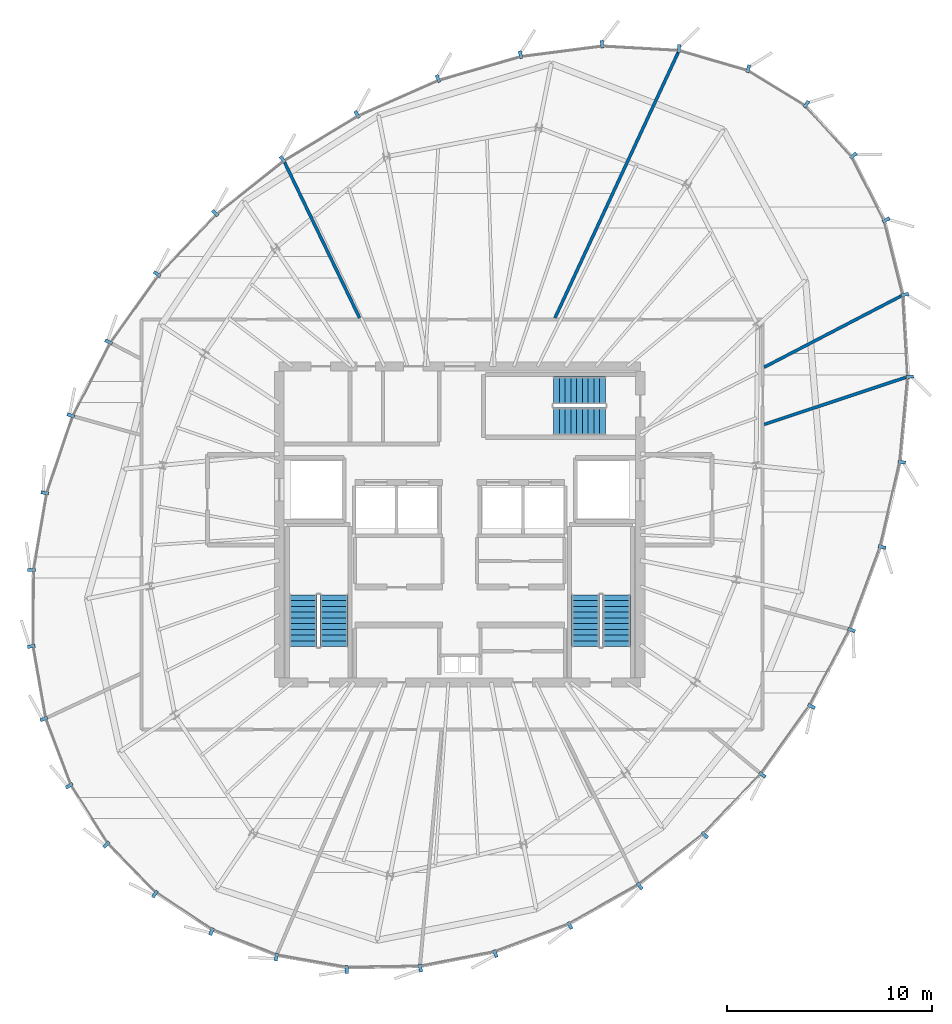
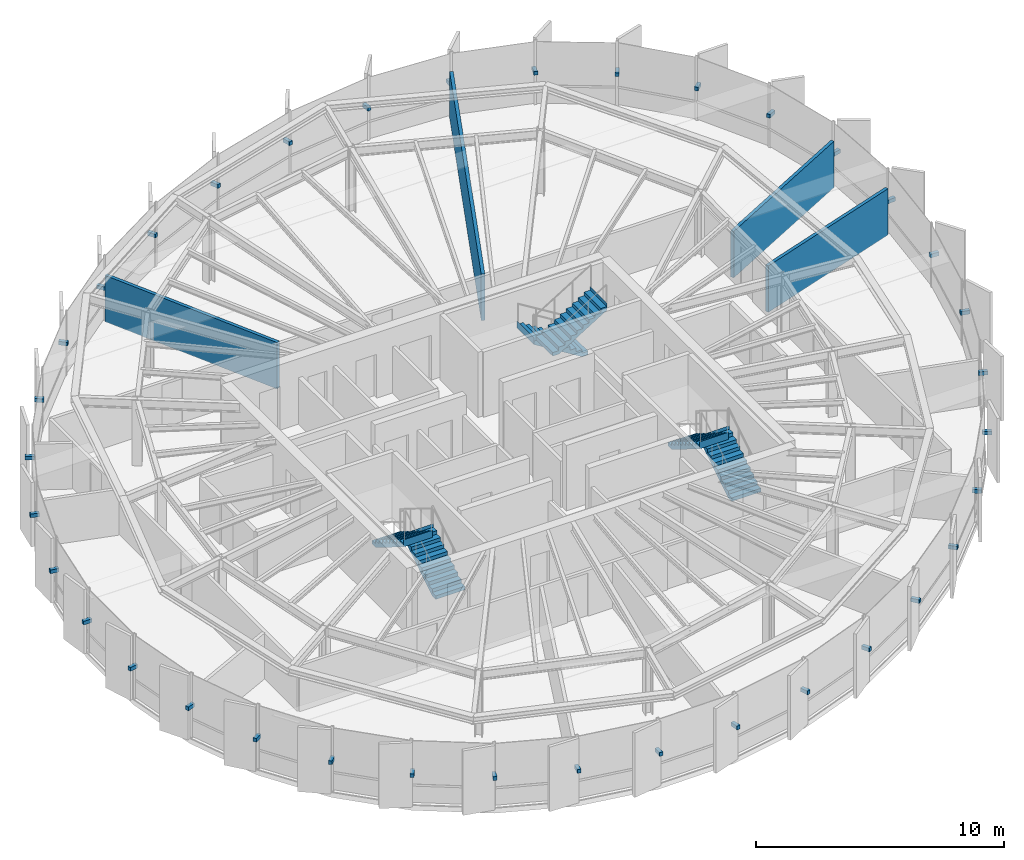
# One storey, part 29 of 33: 36 discrete accessories, 6 stair flights, 4 walls, 3 elements without a shape of their own.
"""IFC4 building model written with IfcOpenShell, lengths in metres."""

from ifc_helpers import new_model, si_unit, direction, frame, frame_2d, origin, origin_2d, place, context, subcontext, project, spatial, polyline, rectangle, outline, extrude, source, transform, mapped, material, layer, layer_set, type_object, element, aggregate, save


model = new_model("IFC4")

# Units and contexts
model_context = context("Model", 3, precision=1e-05, world=origin(), true_north=direction((0.0, 1.0)))
body_context = subcontext(model_context, "Body", "Model", "MODEL_VIEW")
ifc_project = project(units=[si_unit("LENGTHUNIT", "METRE"), si_unit("AREAUNIT", "SQUARE_METRE"), si_unit("VOLUMEUNIT", "CUBIC_METRE"), si_unit("PLANEANGLEUNIT", "RADIAN"), si_unit("MASSUNIT", "GRAM", prefix="KILO"), si_unit("THERMODYNAMICTEMPERATUREUNIT", "KELVIN")], contexts=[model_context])

# Site, building, storey
site_placement = place(None, origin())
site = spatial("IfcSite", under=ifc_project, at=site_placement, CompositionType="ELEMENT")
building_placement = place(site_placement, origin())
building = spatial("IfcBuilding", under=site, at=building_placement, Name="Kethvar Cultural Tower", CompositionType="ELEMENT")
storey_placement = place(building_placement, frame((0.0, 0.0, 238.75)))
storey = spatial("IfcBuildingStorey", under=building, at=storey_placement, Name="L62", CompositionType="ELEMENT", Elevation=238.75)

# Walls
ifc_material_1 = material(Name="Gypsum Acoustic Partition")
ifc_layer = layer(ifc_material_1, 0.14990234375, Name="Gypsum Acoustic Partition")
ifc_layer_set = layer_set([ifc_layer], Name="Gypsum Acoustic Partition (150 mm)")
wall_type = type_object("IfcWallType", Name="WL-PART-150", PredefinedType="PARTITIONING", material=ifc_layer_set)
wall_1_placement = place(storey_placement, frame((61.639892578125, 32.676513671875, 0.0), z_axis=(0.0, 0.0, 1.0), x_axis=(0.948948286782, 0.315431686762, 0.0)))
element("IfcWall", 1, at=wall_1_placement, inside=storey, type_object=wall_type, Name="L62 Radial Partition Wall 07", PredefinedType="PARTITIONING", context=body_context, shape_type="SweptSolid", body=[
    extrude(rectangle(XDim=7.269287109375, YDim=0.14990234375, at=frame_2d((3.634765625, 0.0))), origin(), (0.0, 0.0, 1.0), 2.280029296875),
])
wall_2_placement = place(storey_placement, frame((61.635009765625, 35.46240234375, 0.0), z_axis=(0.0, 0.0, 1.0), x_axis=(0.887115767251, 0.461546980809, 0.0)))
element("IfcWall", 2, at=wall_2_placement, inside=storey, type_object=wall_type, Name="L62 Radial Partition Wall 08", PredefinedType="PARTITIONING", context=body_context, shape_type="SweptSolid", body=[
    extrude(rectangle(XDim=7.5185546875, YDim=0.14990234375, at=frame_2d((3.75927734375, 0.0))), origin(), (0.0, 0.0, 1.0), 2.280029296875),
])
wall_3_placement = place(storey_placement, frame((51.439208984375, 37.865478515625, 0.0), z_axis=(0.0, 0.0, 1.0), x_axis=(0.420885460342, 0.907113790697, 0.0)))
element("IfcWall", 3, at=wall_3_placement, inside=storey, type_object=wall_type, Name="L62 Radial Partition Wall 09", PredefinedType="PARTITIONING", context=body_context, shape_type="SweptSolid", body=[
    extrude(rectangle(XDim=14.261474609375, YDim=0.14990234375, at=frame_2d((7.130859375, 0.0))), origin(), (0.0, 0.0, 1.0), 2.280029296875),
])
wall_4_placement = place(storey_placement, frame((41.91748046875, 37.864990234375, 0.0), z_axis=(0.0, 0.0, 1.0), x_axis=(-0.434176915766, 0.900827622698, 0.0)))
element("IfcWall", 4, at=wall_4_placement, inside=storey, type_object=wall_type, Name="L62 Radial Partition Wall 10", PredefinedType="PARTITIONING", context=body_context, shape_type="SweptSolid", body=[
    extrude(rectangle(XDim=8.39013671875, YDim=0.14990234375, at=frame_2d((4.195068359375, 0.0))), origin(), (0.0, 0.0, 1.0), 2.280029296875),
])

# Stair, stair flights
ifc_material_2 = material(Name="Concrete C40/50", Category="concrete")
stair_type = type_object("IfcStairType", Name="ST-DOGLEG-135", PredefinedType="HALF_TURN_STAIR", material=ifc_material_2)
stair_1_placement = place(storey_placement, origin())
stair_1 = element("IfcStair", 5, at=stair_1_placement, inside=storey, type_object=stair_type, Name="L62 Core Exit Stair 1", PredefinedType="HALF_TURN_STAIR")
stair_flight_type = type_object("IfcStairFlightType", Name="FL-STRAIGHT-135", PredefinedType="STRAIGHT", material=ifc_material_2)
stair_flight_1_placement = place(storey_placement, frame((40.675048828125, 21.85009765625, 0.0), z_axis=(0.0, 0.0, 1.0), x_axis=(0.0, 1.0, 0.0)))
stair_flight_1 = element("IfcStairFlight", 6, at=stair_flight_1_placement, type_object=stair_flight_type, Name="ST-01 flight 1", NumberOfRisers=10, NumberOfTreads=9, PredefinedType="STRAIGHT", RiserHeight=0.1725, TreadLength=0.28, context=body_context, shape_type="SweptSolid", body=[
    extrude(outline(polyline([(-0.0009765625, -0.0009765625), (-0.0009765625, 0.172607421875), (0.280029296875, 0.172607421875), (0.280029296875, 0.344970703125), (0.56005859375, 0.344970703125), (0.56005859375, 0.517578125), (0.840087890625, 0.517578125), (0.840087890625, 0.68994140625), (1.1201171875, 0.68994140625), (1.1201171875, 0.862548828125), (1.39990234375, 0.862548828125), (1.39990234375, 1.034912109375), (1.679931640625, 1.034912109375), (1.679931640625, 1.20751953125), (1.9599609375, 1.20751953125), (1.9599609375, 1.3798828125), (2.239990234375, 1.3798828125), (2.239990234375, 1.552490234375), (2.52001953125, 1.552490234375), (2.52001953125, 1.72509765625), (2.52099609375, 1.72509765625), (2.52099609375, 1.37646484375), (0.285888671875, 0.0), (0.0, -0.0009765625), (-0.0009765625, -0.0009765625)])), frame((0.0, 0.675048828125, 0.0), z_axis=(0.0, -1.0, 0.0), x_axis=(1.0, 0.0, 0.0)), (0.0, 0.0, 1.0), 1.35009765625),
])
stair_flight_2_placement = place(storey_placement, frame((39.1650390625, 24.3701171875, 1.72509765625), z_axis=(0.0, 0.0, 1.0), x_axis=(0.0, -1.0, 0.0)))
stair_flight_2 = element("IfcStairFlight", 7, at=stair_flight_2_placement, type_object=stair_flight_type, Name="ST-01 flight 2", NumberOfRisers=10, NumberOfTreads=9, PredefinedType="STRAIGHT", RiserHeight=0.1725, TreadLength=0.28, context=body_context, shape_type="SweptSolid", body=[
    extrude(outline(polyline([(-0.0009765625, -0.0009765625), (-0.0009765625, 0.172607421875), (0.280029296875, 0.172607421875), (0.280029296875, 0.344970703125), (0.56005859375, 0.344970703125), (0.56005859375, 0.517578125), (0.840087890625, 0.517578125), (0.840087890625, 0.68994140625), (1.1201171875, 0.68994140625), (1.1201171875, 0.862548828125), (1.39990234375, 0.862548828125), (1.39990234375, 1.034912109375), (1.679931640625, 1.034912109375), (1.679931640625, 1.20751953125), (1.9599609375, 1.20751953125), (1.9599609375, 1.3798828125), (2.239990234375, 1.3798828125), (2.239990234375, 1.552490234375), (2.52001953125, 1.552490234375), (2.52001953125, 1.72509765625), (2.52099609375, 1.72509765625), (2.52099609375, 1.37646484375), (0.285888671875, 0.0), (0.0, -0.0009765625), (-0.0009765625, -0.0009765625)])), frame((0.0, 0.675048828125, 0.0), z_axis=(0.0, -1.0, 0.0), x_axis=(1.0, 0.0, 0.0)), (0.0, 0.0, 1.0), 1.35009765625),
])
aggregate(stair_1, [stair_flight_1, stair_flight_2])

stair_2_placement = place(storey_placement, origin())
stair_2 = element("IfcStair", 8, at=stair_2_placement, inside=storey, type_object=stair_type, Name="L62 Core Exit Stair 2", PredefinedType="HALF_TURN_STAIR")
stair_flight_3_placement = place(storey_placement, frame((54.43505859375, 21.85009765625, 0.0), z_axis=(0.0, 0.0, 1.0), x_axis=(0.0, 1.0, 0.0)))
stair_flight_3 = element("IfcStairFlight", 9, at=stair_flight_3_placement, type_object=stair_flight_type, Name="ST-02 flight 1", NumberOfRisers=10, NumberOfTreads=9, PredefinedType="STRAIGHT", RiserHeight=0.1725, TreadLength=0.28, context=body_context, shape_type="SweptSolid", body=[
    extrude(outline(polyline([(-0.0009765625, -0.0009765625), (-0.0009765625, 0.172607421875), (0.280029296875, 0.172607421875), (0.280029296875, 0.344970703125), (0.56005859375, 0.344970703125), (0.56005859375, 0.517578125), (0.840087890625, 0.517578125), (0.840087890625, 0.68994140625), (1.1201171875, 0.68994140625), (1.1201171875, 0.862548828125), (1.39990234375, 0.862548828125), (1.39990234375, 1.034912109375), (1.679931640625, 1.034912109375), (1.679931640625, 1.20751953125), (1.9599609375, 1.20751953125), (1.9599609375, 1.3798828125), (2.239990234375, 1.3798828125), (2.239990234375, 1.552490234375), (2.52001953125, 1.552490234375), (2.52001953125, 1.72509765625), (2.52099609375, 1.72509765625), (2.52099609375, 1.37646484375), (0.285888671875, 0.0), (0.0, -0.0009765625), (-0.0009765625, -0.0009765625)])), frame((0.0, 0.675048828125, 0.0), z_axis=(0.0, -1.0, 0.0), x_axis=(1.0, 0.0, 0.0)), (0.0, 0.0, 1.0), 1.35009765625),
])
stair_flight_4_placement = place(storey_placement, frame((52.925048828125, 24.3701171875, 1.72509765625), z_axis=(0.0, 0.0, 1.0), x_axis=(0.0, -1.0, 0.0)))
stair_flight_4 = element("IfcStairFlight", 10, at=stair_flight_4_placement, type_object=stair_flight_type, Name="ST-02 flight 2", NumberOfRisers=10, NumberOfTreads=9, PredefinedType="STRAIGHT", RiserHeight=0.1725, TreadLength=0.28, context=body_context, shape_type="SweptSolid", body=[
    extrude(outline(polyline([(-0.0009765625, -0.0009765625), (-0.0009765625, 0.172607421875), (0.280029296875, 0.172607421875), (0.280029296875, 0.344970703125), (0.56005859375, 0.344970703125), (0.56005859375, 0.517578125), (0.840087890625, 0.517578125), (0.840087890625, 0.68994140625), (1.1201171875, 0.68994140625), (1.1201171875, 0.862548828125), (1.39990234375, 0.862548828125), (1.39990234375, 1.034912109375), (1.679931640625, 1.034912109375), (1.679931640625, 1.20751953125), (1.9599609375, 1.20751953125), (1.9599609375, 1.3798828125), (2.239990234375, 1.3798828125), (2.239990234375, 1.552490234375), (2.52001953125, 1.552490234375), (2.52001953125, 1.72509765625), (2.52099609375, 1.72509765625), (2.52099609375, 1.37646484375), (0.285888671875, 0.0), (0.0, -0.0009765625), (-0.0009765625, -0.0009765625)])), frame((0.0, 0.675048828125, 0.0), z_axis=(0.0, -1.0, 0.0), x_axis=(1.0, 0.0, 0.0)), (0.0, 0.0, 1.0), 1.35009765625),
])
aggregate(stair_2, [stair_flight_3, stair_flight_4])

stair_3_placement = place(storey_placement, origin())
stair_3 = element("IfcStair", 11, at=stair_3_placement, inside=storey, type_object=stair_type, Name="L62 Core Exit Stair 3", PredefinedType="HALF_TURN_STAIR")
stair_flight_5_placement = place(storey_placement, frame((53.89990234375, 34.3349609375, 0.0), z_axis=(0.0, 0.0, 1.0), x_axis=(-1.0, 0.0, 0.0)))
stair_flight_5 = element("IfcStairFlight", 12, at=stair_flight_5_placement, type_object=stair_flight_type, Name="ST-03 flight 1", NumberOfRisers=10, NumberOfTreads=9, PredefinedType="STRAIGHT", RiserHeight=0.1725, TreadLength=0.28, context=body_context, shape_type="SweptSolid", body=[
    extrude(outline(polyline([(-0.0009765625, -0.0009765625), (-0.0009765625, 0.172607421875), (0.280029296875, 0.172607421875), (0.280029296875, 0.344970703125), (0.56005859375, 0.344970703125), (0.56005859375, 0.517578125), (0.840087890625, 0.517578125), (0.840087890625, 0.68994140625), (1.1201171875, 0.68994140625), (1.1201171875, 0.862548828125), (1.39990234375, 0.862548828125), (1.39990234375, 1.034912109375), (1.679931640625, 1.034912109375), (1.679931640625, 1.20751953125), (1.9599609375, 1.20751953125), (1.9599609375, 1.3798828125), (2.239990234375, 1.3798828125), (2.239990234375, 1.552490234375), (2.52001953125, 1.552490234375), (2.52001953125, 1.72509765625), (2.52099609375, 1.72509765625), (2.52099609375, 1.37646484375), (0.285888671875, 0.0), (0.0, -0.0009765625), (-0.0009765625, -0.0009765625)])), frame((0.0, 0.675048828125, 0.0), z_axis=(0.0, -1.0, 0.0), x_axis=(1.0, 0.0, 0.0)), (0.0, 0.0, 1.0), 1.35009765625),
])
stair_flight_6_placement = place(storey_placement, frame((51.3798828125, 32.824951171875, 1.72509765625), z_axis=(0.0, 0.0, 1.0), x_axis=(1.0, 0.0, 0.0)))
stair_flight_6 = element("IfcStairFlight", 13, at=stair_flight_6_placement, type_object=stair_flight_type, Name="ST-03 flight 2", NumberOfRisers=10, NumberOfTreads=9, PredefinedType="STRAIGHT", RiserHeight=0.1725, TreadLength=0.28, context=body_context, shape_type="SweptSolid", body=[
    extrude(outline(polyline([(-0.0009765625, -0.0009765625), (-0.0009765625, 0.172607421875), (0.280029296875, 0.172607421875), (0.280029296875, 0.344970703125), (0.56005859375, 0.344970703125), (0.56005859375, 0.517578125), (0.840087890625, 0.517578125), (0.840087890625, 0.68994140625), (1.1201171875, 0.68994140625), (1.1201171875, 0.862548828125), (1.39990234375, 0.862548828125), (1.39990234375, 1.034912109375), (1.679931640625, 1.034912109375), (1.679931640625, 1.20751953125), (1.9599609375, 1.20751953125), (1.9599609375, 1.3798828125), (2.239990234375, 1.3798828125), (2.239990234375, 1.552490234375), (2.52001953125, 1.552490234375), (2.52001953125, 1.72509765625), (2.52099609375, 1.72509765625), (2.52099609375, 1.37646484375), (0.285888671875, 0.0), (0.0, -0.0009765625), (-0.0009765625, -0.0009765625)])), frame((0.0, 0.675048828125, 0.0), z_axis=(0.0, -1.0, 0.0), x_axis=(1.0, 0.0, 0.0)), (0.0, 0.0, 1.0), 1.35009765625),
])
aggregate(stair_3, [stair_flight_5, stair_flight_6])

# Discrete accessories
ifc_material_3 = material(Name="Steel S355J2", Category="steel")
discrete_accessory_type = type_object("IfcDiscreteAccessoryType", Name="Steel Fin Bracket BRK-01", PredefinedType="BRACKET", material=ifc_material_3)
shared_shape = source(origin(), body_context, "Body", "SweptSolid", [
    extrude(rectangle(XDim=0.3798828125, YDim=0.159912109375, at=origin_2d()), origin(), (0.0, 0.0, 1.0), 0.179931640625),
])
for number, where, z_axis, x_axis, name in (
    (14, (63.69384765625, 48.27880859375, 1.51513671875), (0.0, 0.0, 1.0), (0.522052051767, 0.852913627072, 0.0), "L62 Terracotta Fin Bracket 1.1"),
    (15, (60.85888671875, 50.013427734375, 1.51513671875), (0.0, 0.0, 1.0), (0.279158704655, 0.960244977917, 0.0), "L62 Terracotta Fin Bracket 1.2"),
    (16, (57.485595703125, 50.99365234375, 1.51513671875), (0.0, 0.0, 1.0), (0.056518534482, 0.998401550109, 0.0), "L62 Terracotta Fin Bracket 1.3"),
    (17, (53.736083984375, 51.2060546875, 1.51513671875), (0.0, 0.0, 1.0), (-0.127757050534, 0.991805493047, 0.0), "L62 Terracotta Fin Bracket 1.4"),
    (18, (49.765625, 50.694580078125, 1.51513671875), (0.0, 0.0, 1.0), (-0.277650011593, 0.96068229455, 0.0), "L62 Terracotta Fin Bracket 1.5"),
    (19, (45.740966796875, 49.531005859375, 1.51513671875), (0.0, 0.0, 1.0), (-0.404183960308, 0.914677717139, 0.0), "L62 Terracotta Fin Bracket 1.6"),
    (20, (41.79541015625, 47.782470703125, 1.51513671875), (0.0, 0.0, 1.0), (-0.517130990138, 0.855906267671, 0.0), "L62 Terracotta Fin Bracket 2.1"),
    (21, (38.1669921875, 45.590087890625, 1.51513671875), (0.0, 0.0, 1.0), (-0.622924323959, 0.782282101688, 0.0), "L62 Terracotta Fin Bracket 2.2"),
    (22, (34.881591796875, 42.973388671875, 1.51513671875), (0.0, 0.0, 1.0), (-0.7234492966, 0.690377516471, 0.0), "L62 Terracotta Fin Bracket 2.3"),
    (23, (32.04736328125, 40.00341796875, 1.51513671875), (0.0, 0.0, 1.0), (-0.814115518356, 0.580702955711, 0.0), "L62 Terracotta Fin Bracket 2.4"),
    (24, (29.68701171875, 36.693603515625, 1.51513671875), (0.0, 0.0, 1.0), (-0.889336581107, 0.457253152537, 0.0), "L62 Terracotta Fin Bracket 2.5"),
    (25, (27.84619140625, 33.11376953125, 1.51513671875), (0.0, 0.0, 1.0), (-0.947322135083, 0.320282332298, 0.0), "L62 Terracotta Fin Bracket 2.6"),
    (26, (26.575439453125, 29.3369140625, 1.51513671875), (0.0, 0.0, 1.0), (-0.985585601111, 0.169177489289, 0.0), "L62 Terracotta Fin Bracket 3.1"),
    (27, (25.930908203125, 25.5830078125, 1.51513671875), (0.0, 0.0, 1.0), (-0.999989703949, 0.004537840481, 0.0), "L62 Terracotta Fin Bracket 3.2"),
    (28, (25.914306640625, 21.860595703125, 1.51513671875), (0.0, 0.0, 1.0), (-0.985109326155, -0.171929100279, 0.0), "L62 Terracotta Fin Bracket 3.3"),
    (29, (26.532470703125, 18.319091796875, 1.51513671875), (0.0, 0.0, 1.0), (-0.935011481814, -0.354617440174, 0.0), "L62 Terracotta Fin Bracket 3.4"),
    (30, (27.7666015625, 15.065185546875, 1.51513671875), (0.0, 0.0, 1.0), (-0.845261833222, -0.53435234939, 0.0), "L62 Terracotta Fin Bracket 3.5"),
    (31, (29.579345703125, 12.198486328125, 1.51513671875), (0.0, 0.0, 1.0), (-0.715570826341, -0.698540186739, 0.0), "L62 Terracotta Fin Bracket 3.6"),
    (32, (31.945068359375, 9.785888671875, 1.51513671875), (0.0, 0.0, 1.0), (-0.552082517437, -0.83378947819, 0.0), "L62 Terracotta Fin Bracket 4.1"),
    (33, (34.703369140625, 7.959716796875, 1.51513671875), (0.0, 0.0, 1.0), (-0.366501226724, -0.930417567982, 0.0), "L62 Terracotta Fin Bracket 4.2"),
    (34, (37.859130859375, 6.717041015625, 1.51513671875), (0.0, 0.0, 1.0), (-0.173132509753, -0.984898539986, 0.0), "L62 Terracotta Fin Bracket 4.3"),
    (35, (41.28662109375, 6.11474609375, 1.51513671875), (0.0, 0.0, 1.0), (0.015707317312, -0.999876632482, 0.0), "L62 Terracotta Fin Bracket 4.4"),
    (36, (44.881103515625, 6.17138671875, 1.51513671875), (0.0, 0.0, 1.0), (0.191836848149, -0.981426830534, 0.0), "L62 Terracotta Fin Bracket 4.5"),
    (37, (48.5341796875, 6.885498046875, 1.51513671875), (0.0, 0.0, 1.0), (0.350861216412, -0.936427470132, 0.0), "L62 Terracotta Fin Bracket 4.6"),
    (38, (52.165283203125, 8.252197265625, 1.51513671875), (0.0, 0.0, 1.0), (0.492119718658, -0.87052753116, 0.0), "L62 Terracotta Fin Bracket 5.1"),
    (39, (55.572265625, 10.178466796875, 1.51513671875), (0.0, 0.0, 1.0), (0.61579899977, -0.787903288407, 0.0), "L62 Terracotta Fin Bracket 5.2"),
    (40, (58.743896484375, 12.657470703125, 1.51513671875), (0.0, 0.0, 1.0), (0.72296714591, -0.690882411077, 0.0), "L62 Terracotta Fin Bracket 5.3"),
    (41, (61.552490234375, 15.596435546875, 1.51513671875), (0.0, 0.0, 1.0), (0.813709912852, -0.581271174002, 0.0), "L62 Terracotta Fin Bracket 5.4"),
    (42, (63.938720703125, 18.93701171875, 1.51513671875), (0.0, 0.0, 1.0), (0.885150113672, -0.465305573002, 0.0), "L62 Terracotta Fin Bracket 5.5"),
    (43, (65.89306640625, 22.65478515625, 1.51513671875), (0.0, 0.0, 1.0), (0.937646499297, -0.347590336971, 0.0), "L62 Terracotta Fin Bracket 5.6"),
    (44, (67.38720703125, 26.697998046875, 1.51513671875), (0.0, 0.0, 1.0), (0.974212781888, -0.2256312381, 0.0), "L62 Terracotta Fin Bracket 6.1"),
    (45, (68.3447265625, 30.8330078125, 1.51513671875), (0.0, 0.0, 1.0), (0.995692394105, -0.092718155301, 0.0), "L62 Terracotta Fin Bracket 6.2"),
    (46, (68.7333984375, 35.00439453125, 1.51513671875), (0.0, 0.0, 1.0), (0.9981771751, 0.06035169517, 0.0), "L62 Terracotta Fin Bracket 6.3"),
    (47, (68.491455078125, 39.000732421875, 1.51513671875), (0.0, 0.0, 1.0), (0.97012659649, 0.242599230795, 0.0), "L62 Terracotta Fin Bracket 6.4"),
    (48, (67.579833984375, 42.64453125, 1.51513671875), (0.0, 0.0, 1.0), (0.890927274328, 0.454146002799, 0.0), "L62 Terracotta Fin Bracket 6.5"),
    (49, (65.984130859375, 45.7744140625, 1.51513671875), (0.0, 0.0, 1.0), (0.739983382104, 0.672625151337, 0.0), "L62 Terracotta Fin Bracket 6.6"),
):
    element("IfcDiscreteAccessory", number, at=place(storey_placement, frame(where, z_axis=z_axis, x_axis=x_axis)), inside=storey, type_object=discrete_accessory_type, Name=name, PredefinedType="BRACKET", context=body_context, shape_type="MappedRepresentation", body=[
        mapped(shared_shape, transform((0.0, 0.0, 0.0), scale=1.0)),
    ])

save(model, "model.ifc")
